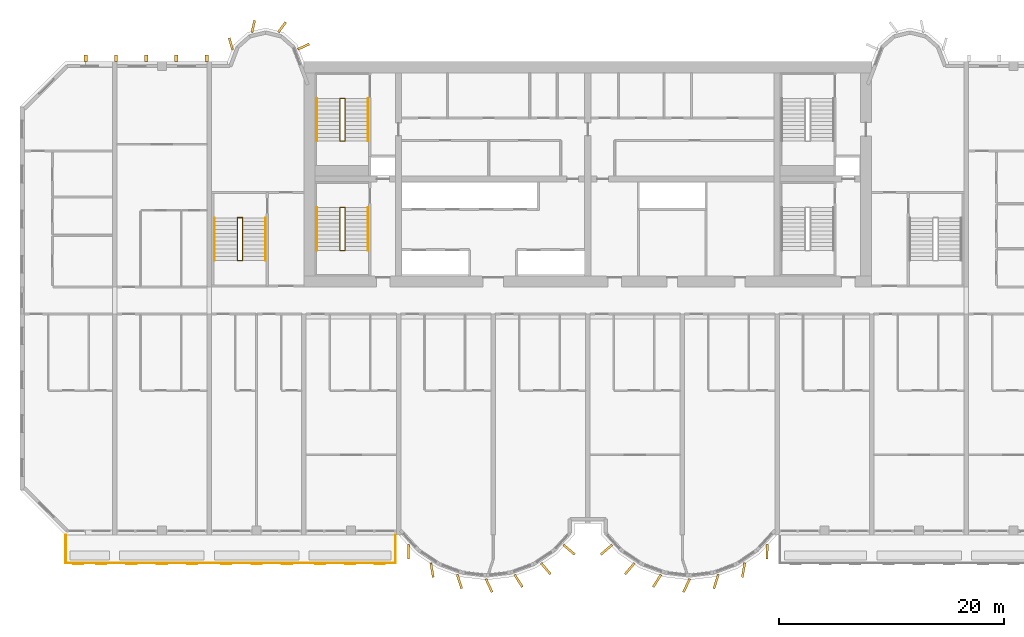
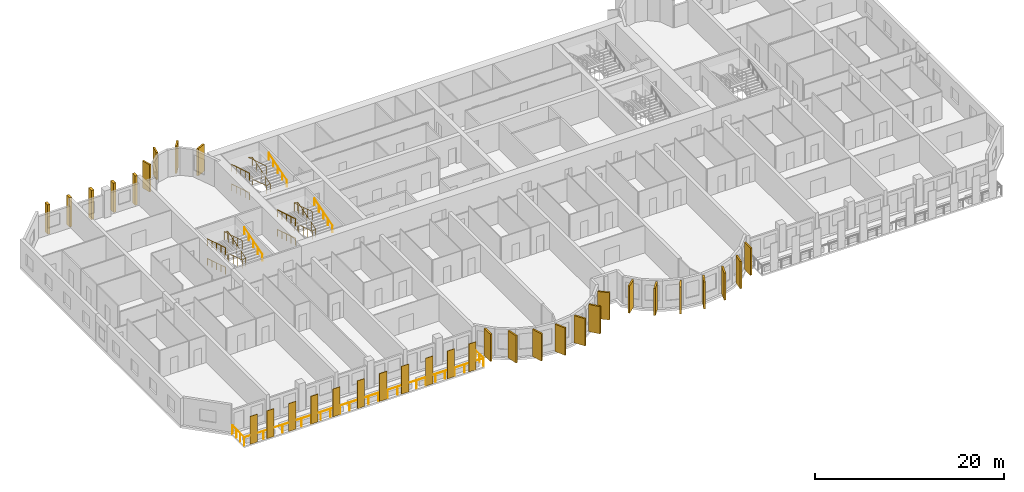
# One storey, part 13 of 15: 34 coverings, 13 railings.
"""IFC4 building model written with IfcOpenShell, lengths in metres."""

from ifc_helpers import new_model, si_unit, direction, frame, origin, origin_2d, place, context, subcontext, project, spatial, rectangle, circle, extrude, source, transform, mapped, material, layer, layer_set, material_profile, profile_set, type_object, element, save


model = new_model("IFC4")

# Units and contexts
model_context = context("Model", 3, precision=1e-05, world=origin(), true_north=direction((0.0, 1.0)))
body_context = subcontext(model_context, "Body", "Model", "MODEL_VIEW")
ifc_project = project(units=[si_unit("LENGTHUNIT", "METRE"), si_unit("AREAUNIT", "SQUARE_METRE"), si_unit("VOLUMEUNIT", "CUBIC_METRE"), si_unit("PLANEANGLEUNIT", "RADIAN"), si_unit("MASSUNIT", "GRAM", prefix="KILO")], contexts=[model_context])

# Site, building, storey
site_placement = place(None, origin())
site = spatial("IfcSite", under=ifc_project, at=site_placement, CompositionType="ELEMENT")
building_placement = place(site_placement, origin())
building = spatial("IfcBuilding", under=site, at=building_placement, Name="Vanashikhar Sky Hotel", CompositionType="ELEMENT")
storey_placement = place(building_placement, frame((0.0, 0.0, 69.60009765625)))
storey = spatial("IfcBuildingStorey", under=building, at=storey_placement, Name="L16", CompositionType="ELEMENT", Elevation=69.60009765625)

# Railing
ifc_material_1 = material(Name="Stainless steel 316", Category="steel")
railing_type_1 = type_object("IfcRailingType", Name="Balcony guard 1100", PredefinedType="GUARDRAIL", material=ifc_material_1)
shared_shape_1 = source(origin(), body_context, "Body", "SweptSolid", [
    extrude(circle(Radius=0.02392578125, at=origin_2d()), frame((0.0, 0.0, 1.076171875), z_axis=(0.0, -1.0, 0.0), x_axis=(1.0, 0.0, 0.0)), (0.0, 0.0, 1.0), 2.5),
    extrude(circle(Radius=0.02392578125, at=origin_2d()), frame((0.0, -2.5, 1.076171875), z_axis=(1.0, 0.0, 0.0), x_axis=(0.0, 1.0, 0.0)), (0.0, 0.0, 1.0), 29.280029296875),
    extrude(circle(Radius=0.02392578125, at=origin_2d()), frame((29.280029296875, -2.5, 1.076171875), z_axis=(0.0, 1.0, 0.0), x_axis=(-1.0, 0.0, 0.0)), (0.0, 0.0, 1.0), 2.5),
    extrude(circle(Radius=0.02099609375, at=origin_2d()), origin(), (0.0, 0.0, 1.0), 1.052001953125),
    extrude(circle(Radius=0.02099609375, at=origin_2d()), frame((0.0, -0.833251953125, 0.0)), (0.0, 0.0, 1.0), 1.052001953125),
    extrude(circle(Radius=0.02099609375, at=origin_2d()), frame((0.0, -1.666748046875, 0.0)), (0.0, 0.0, 1.0), 1.052001953125),
    extrude(circle(Radius=0.02099609375, at=origin_2d()), frame((0.0, -2.5, 0.0)), (0.0, 0.0, 1.0), 1.052001953125),
    extrude(circle(Radius=0.02099609375, at=origin_2d()), frame((1.171142578125, -2.5, 0.0)), (0.0, 0.0, 1.0), 1.052001953125),
    extrude(circle(Radius=0.02099609375, at=origin_2d()), frame((2.34228515625, -2.5, 0.0)), (0.0, 0.0, 1.0), 1.052001953125),
    extrude(circle(Radius=0.02099609375, at=origin_2d()), frame((3.513671875, -2.5, 0.0)), (0.0, 0.0, 1.0), 1.052001953125),
    extrude(circle(Radius=0.02099609375, at=origin_2d()), frame((4.684814453125, -2.5, 0.0)), (0.0, 0.0, 1.0), 1.052001953125),
    extrude(circle(Radius=0.02099609375, at=origin_2d()), frame((5.85595703125, -2.5, 0.0)), (0.0, 0.0, 1.0), 1.052001953125),
    extrude(circle(Radius=0.02099609375, at=origin_2d()), frame((7.027099609375, -2.5, 0.0)), (0.0, 0.0, 1.0), 1.052001953125),
    extrude(circle(Radius=0.02099609375, at=origin_2d()), frame((8.198486328125, -2.5, 0.0)), (0.0, 0.0, 1.0), 1.052001953125),
    extrude(circle(Radius=0.02099609375, at=origin_2d()), frame((9.36962890625, -2.5, 0.0)), (0.0, 0.0, 1.0), 1.052001953125),
    extrude(circle(Radius=0.02099609375, at=origin_2d()), frame((10.540771484375, -2.5, 0.0)), (0.0, 0.0, 1.0), 1.052001953125),
    extrude(circle(Radius=0.02099609375, at=origin_2d()), frame((11.7119140625, -2.5, 0.0)), (0.0, 0.0, 1.0), 1.052001953125),
    extrude(circle(Radius=0.02099609375, at=origin_2d()), frame((12.88330078125, -2.5, 0.0)), (0.0, 0.0, 1.0), 1.052001953125),
    extrude(circle(Radius=0.02099609375, at=origin_2d()), frame((14.054443359375, -2.5, 0.0)), (0.0, 0.0, 1.0), 1.052001953125),
    extrude(circle(Radius=0.02099609375, at=origin_2d()), frame((15.2255859375, -2.5, 0.0)), (0.0, 0.0, 1.0), 1.052001953125),
    extrude(circle(Radius=0.02099609375, at=origin_2d()), frame((16.396728515625, -2.5, 0.0)), (0.0, 0.0, 1.0), 1.052001953125),
    extrude(circle(Radius=0.02099609375, at=origin_2d()), frame((17.568115234375, -2.5, 0.0)), (0.0, 0.0, 1.0), 1.052001953125),
    extrude(circle(Radius=0.02099609375, at=origin_2d()), frame((18.7392578125, -2.5, 0.0)), (0.0, 0.0, 1.0), 1.052001953125),
    extrude(circle(Radius=0.02099609375, at=origin_2d()), frame((19.910400390625, -2.5, 0.0)), (0.0, 0.0, 1.0), 1.052001953125),
    extrude(circle(Radius=0.02099609375, at=origin_2d()), frame((21.08154296875, -2.5, 0.0)), (0.0, 0.0, 1.0), 1.052001953125),
    extrude(circle(Radius=0.02099609375, at=origin_2d()), frame((22.2529296875, -2.5, 0.0)), (0.0, 0.0, 1.0), 1.052001953125),
    extrude(circle(Radius=0.02099609375, at=origin_2d()), frame((23.424072265625, -2.5, 0.0)), (0.0, 0.0, 1.0), 1.052001953125),
    extrude(circle(Radius=0.02099609375, at=origin_2d()), frame((24.59521484375, -2.5, 0.0)), (0.0, 0.0, 1.0), 1.052001953125),
    extrude(circle(Radius=0.02099609375, at=origin_2d()), frame((25.766357421875, -2.5, 0.0)), (0.0, 0.0, 1.0), 1.052001953125),
    extrude(circle(Radius=0.02099609375, at=origin_2d()), frame((26.937744140625, -2.5, 0.0)), (0.0, 0.0, 1.0), 1.052001953125),
    extrude(circle(Radius=0.02099609375, at=origin_2d()), frame((28.10888671875, -2.5, 0.0)), (0.0, 0.0, 1.0), 1.052001953125),
    extrude(circle(Radius=0.02099609375, at=origin_2d()), frame((29.280029296875, -2.5, 0.0)), (0.0, 0.0, 1.0), 1.052001953125),
    extrude(circle(Radius=0.02099609375, at=origin_2d()), frame((29.280029296875, -1.666748046875, 0.0)), (0.0, 0.0, 1.0), 1.052001953125),
    extrude(circle(Radius=0.02099609375, at=origin_2d()), frame((29.280029296875, -0.833251953125, 0.0)), (0.0, 0.0, 1.0), 1.052001953125),
    extrude(circle(Radius=0.02099609375, at=origin_2d()), frame((29.280029296875, 0.0, 0.0)), (0.0, 0.0, 1.0), 1.052001953125),
])
railing_1_placement = place(storey_placement, frame((4.06005859375, 0.0, -0.050048828125)))
element("IfcRailing", 1, at=railing_1_placement, inside=storey, type_object=railing_type_1, Name="Balcony guard", PredefinedType="GUARDRAIL", context=body_context, shape_type="MappedRepresentation", body=[
    mapped(shared_shape_1, transform((0.0, 0.0, 0.0), scale=1.0)),
])

# Coverings
ifc_material_2 = material(Name="Terracotta", Category="masonry")
ifc_layer = layer(ifc_material_2, 0.06005859375)
ifc_layer_set = layer_set([ifc_layer], Name="Terracotta baguette screen")
covering_type_1 = type_object("IfcCoveringType", Name="Terracotta baguette screen", PredefinedType="CLADDING", material=ifc_layer_set)
shared_shape_2 = source(origin(), body_context, "Body", "SweptSolid", [
    extrude(rectangle(XDim=0.89990234375, YDim=0.06005859375, at=origin_2d()), origin(), (0.0, 0.0, 1.0), 3.60009765625),
])
for number, where, z_axis, x_axis, name in (
    (2, (5.175048828125, -2.570068359375, -0.050048828125), (0.0, 0.0, 1.0), (1.0, 0.0, 0.0), "Terracotta screen"),
    (3, (7.22509765625, -2.570068359375, -0.050048828125), (0.0, 0.0, 1.0), (1.0, 0.0, 0.0), "Terracotta screen"),
    (4, (9.89990234375, -2.570068359375, -0.050048828125), (0.0, 0.0, 1.0), (1.0, 0.0, 0.0), "Terracotta screen"),
    (5, (12.60009765625, -2.570068359375, -0.050048828125), (0.0, 0.0, 1.0), (1.0, 0.0, 0.0), "Terracotta screen"),
    (6, (15.300048828125, -2.570068359375, -0.050048828125), (0.0, 0.0, 1.0), (1.0, 0.0, 0.0), "Terracotta screen"),
    (7, (18.300048828125, -2.570068359375, -0.050048828125), (0.0, 0.0, 1.0), (1.0, 0.0, 0.0), "Terracotta screen"),
    (8, (21.0, -2.570068359375, -0.050048828125), (0.0, 0.0, 1.0), (1.0, 0.0, 0.0), "Terracotta screen"),
    (9, (23.699951171875, -2.570068359375, -0.050048828125), (0.0, 0.0, 1.0), (1.0, 0.0, 0.0), "Terracotta screen"),
    (10, (26.666748046875, -2.570068359375, -0.050048828125), (0.0, 0.0, 1.0), (1.0, 0.0, 0.0), "Terracotta screen"),
    (11, (29.300048828125, -2.570068359375, -0.050048828125), (0.0, 0.0, 1.0), (1.0, 0.0, 0.0), "Terracotta screen"),
    (12, (31.933349609375, -2.570068359375, -0.050048828125), (0.0, 0.0, 1.0), (1.0, 0.0, 0.0), "Terracotta screen"),
):
    element("IfcCovering", number, at=place(storey_placement, frame(where, z_axis=z_axis, x_axis=x_axis)), inside=storey, type_object=covering_type_1, Name=name, PredefinedType="CLADDING", context=body_context, shape_type="MappedRepresentation", body=[
        mapped(shared_shape_2, transform((0.0, 0.0, 0.0), scale=1.0)),
    ])
ifc_material_3 = material(Name="Concrete M60 dark", Category="concrete")
ifc_material_profile_1 = material_profile(ifc_material_3, rectangle(XDim=1.300048828125, YDim=0.199951171875, at=origin_2d()))
ifc_profile_set_1 = profile_set([ifc_material_profile_1], Name="Fin 1300 x 200")
covering_type_2 = type_object("IfcCoveringType", Name="Fin 1300 x 200", PredefinedType="CLADDING", material=ifc_profile_set_1)
shared_shape_3 = source(origin(), body_context, "Body", "SweptSolid", [
    extrude(rectangle(XDim=1.300048828125, YDim=0.199951171875, at=origin_2d()), origin(), (0.0, 0.0, 1.0), 3.52001953125),
])
for number, where, z_axis, x_axis, name in (
    (13, (34.482421875, -1.507080078125, 0.0), (0.0, 0.0, 1.0), (0.011588726826, -0.999932848451, 0.0), "Fin F1-1"),
    (14, (36.572509765625, -3.1220703125, 0.0), (0.0, 0.0, 1.0), (0.16989991575, -0.985461322746, 0.0), "Fin F1-2"),
    (15, (39.00830078125, -4.14306640625, 0.0), (0.0, 0.0, 1.0), (0.303966551867, -0.952682704444, 0.0), "Fin F1-3"),
    (16, (41.63232421875, -4.49853515625, 0.0), (0.0, 0.0, 1.0), (0.422618261741, -0.906307787037, 0.0), "Fin F1-4"),
    (17, (44.251953125, -4.083984375, 0.0), (0.0, 0.0, 1.0), (0.534411358496, -0.845224526331, 0.0), "Fin F1-5"),
    (18, (46.676025390625, -3.0, 0.0), (0.0, 0.0, 1.0), (0.645697609467, -0.763593214433, 0.0), "Fin F1-6"),
    (19, (48.7412109375, -1.3154296875, 0.0), (0.0, 0.0, 1.0), (0.758543912032, -0.65162192529, 0.0), "Fin F1-7"),
    (20, (52.058837890625, -1.3154296875, 0.0), (0.0, 0.0, 1.0), (-0.758543912032, -0.65162192529, 0.0), "Fin F2-1"),
    (21, (54.123779296875, -3.0, 0.0), (0.0, 0.0, 1.0), (-0.645697609467, -0.763593214433, 0.0), "Fin F2-2"),
    (22, (56.547119140625, -4.083984375, 0.0), (0.0, 0.0, 1.0), (-0.534411358496, -0.845224526331, 0.0), "Fin F2-3"),
    (23, (59.16748046875, -4.49853515625, 0.0), (0.0, 0.0, 1.0), (-0.422618261741, -0.906307787037, 0.0), "Fin F2-4"),
    (24, (61.790771484375, -4.14306640625, 0.0), (0.0, 0.0, 1.0), (-0.303966551867, -0.952682704444, 0.0), "Fin F2-5"),
    (25, (64.2275390625, -3.1220703125, 0.0), (0.0, 0.0, 1.0), (-0.16989991575, -0.985461322746, 0.0), "Fin F2-6"),
    (26, (66.317626953125, -1.507080078125, 0.0), (0.0, 0.0, 1.0), (-0.011588726826, -0.999932848451, 0.0), "Fin F2-7"),
):
    element("IfcCovering", number, at=place(storey_placement, frame(where, z_axis=z_axis, x_axis=x_axis)), inside=storey, type_object=covering_type_2, Name=name, PredefinedType="CLADDING", context=body_context, shape_type="MappedRepresentation", body=[
        mapped(shared_shape_3, transform((0.0, 0.0, 0.0), scale=1.0)),
    ])
ifc_material_profile_2 = material_profile(ifc_material_3, rectangle(XDim=1.10009765625, YDim=0.199951171875, at=origin_2d()))
ifc_profile_set_2 = profile_set([ifc_material_profile_2], Name="Rear lobe fin 1100 x 200")
covering_type_3 = type_object("IfcCoveringType", Name="Rear lobe fin 1100 x 200", PredefinedType="CLADDING", material=ifc_profile_set_2)
shared_shape_4 = source(origin(), body_context, "Body", "SweptSolid", [
    extrude(rectangle(XDim=1.10009765625, YDim=0.199951171875, at=origin_2d()), origin(), (0.0, 0.0, 1.0), 3.52001953125),
])
for number, where, z_axis, x_axis, name in (
    (27, (18.720703125, 43.580078125, 0.0), (0.0, 0.0, 1.0), (-0.262711264409, 0.964874495234, 0.0), "Fin R1-1"),
    (28, (20.710205078125, 45.1455078125, 0.0), (0.0, 0.0, 1.0), (0.224644935864, 0.974440687159, 0.0), "Fin R1-2"),
    (29, (23.261962890625, 45.06640625, 0.0), (0.0, 0.0, 1.0), (0.602065892195, 0.798446404874, 0.0), "Fin R1-3"),
    (30, (25.169677734375, 43.33447265625, 0.0), (0.0, 0.0, 1.0), (0.908004291068, 0.418960866193, 0.0), "Fin R1-4"),
):
    element("IfcCovering", number, at=place(storey_placement, frame(where, z_axis=z_axis, x_axis=x_axis)), inside=storey, type_object=covering_type_3, Name=name, PredefinedType="CLADDING", context=body_context, shape_type="MappedRepresentation", body=[
        mapped(shared_shape_4, transform((0.0, 0.0, 0.0), scale=1.0)),
    ])
ifc_material_profile_3 = material_profile(ifc_material_3, rectangle(XDim=0.60009765625, YDim=0.300048828125, at=origin_2d()))
ifc_profile_set_3 = profile_set([ifc_material_profile_3], Name="Rear rib 600 x 300")
covering_type_4 = type_object("IfcCoveringType", Name="Rear rib 600 x 300", PredefinedType="CLADDING", material=ifc_profile_set_3)
shared_shape_5 = source(origin(), body_context, "Body", "SweptSolid", [
    extrude(rectangle(XDim=0.60009765625, YDim=0.300048828125, at=origin_2d()), origin(), (0.0, 0.0, 1.0), 3.800048828125),
])
for number, where, z_axis, x_axis, name in (
    (31, (5.840087890625, 42.300048828125, -0.280029296875), (0.0, 0.0, 1.0), (0.0, 1.0, 0.0), "Rear rib"),
    (32, (8.52001953125, 42.300048828125, -0.280029296875), (0.0, 0.0, 1.0), (0.0, 1.0, 0.0), "Rear rib"),
    (33, (11.199951171875, 42.300048828125, -0.280029296875), (0.0, 0.0, 1.0), (0.0, 1.0, 0.0), "Rear rib"),
    (34, (13.8798828125, 42.300048828125, -0.280029296875), (0.0, 0.0, 1.0), (0.0, 1.0, 0.0), "Rear rib"),
    (35, (16.56005859375, 42.300048828125, -0.280029296875), (0.0, 0.0, 1.0), (0.0, 1.0, 0.0), "Rear rib"),
):
    element("IfcCovering", number, at=place(storey_placement, frame(where, z_axis=z_axis, x_axis=x_axis)), inside=storey, type_object=covering_type_4, Name=name, PredefinedType="CLADDING", context=body_context, shape_type="MappedRepresentation", body=[
        mapped(shared_shape_5, transform((0.0, 0.0, 0.0), scale=1.0)),
    ])

# Railings
ifc_material_4 = material(Name="Steel S355", Category="steel")
railing_type_2 = type_object("IfcRailingType", Name="Stair handrail 900", PredefinedType="HANDRAIL", material=ifc_material_4)
shared_shape_6 = source(origin(), body_context, "Body", "SweptSolid", [
    extrude(circle(Radius=0.02392578125, at=origin_2d()), frame((0.0, 0.0, 0.8759765625), z_axis=(0.0, 0.95635109408, 0.292220096591), x_axis=(-1.0, 0.0, 0.0)), (0.0, 0.0, 1.0), 3.973388671875),
    extrude(circle(Radius=0.02099609375, at=origin_2d()), origin(), (0.0, 0.0, 1.0), 0.851806640625),
    extrude(circle(Radius=0.02099609375, at=origin_2d()), frame((0.0, 0.949951171875, 0.290283203125)), (0.0, 0.0, 1.0), 0.851806640625),
    extrude(circle(Radius=0.02099609375, at=origin_2d()), frame((0.0, 1.89990234375, 0.58056640625)), (0.0, 0.0, 1.0), 0.851806640625),
    extrude(circle(Radius=0.02099609375, at=origin_2d()), frame((0.0, 2.85009765625, 0.870849609375)), (0.0, 0.0, 1.0), 0.851806640625),
    extrude(circle(Radius=0.02099609375, at=origin_2d()), frame((0.0, 3.800048828125, 1.1611328125)), (0.0, 0.0, 1.0), 0.851806640625),
])
for number, where, name in (
    (36, (30.89990234375, 25.25, 1.3720703125), "Exit stair 1 handrail"),
    (37, (30.89990234375, 34.949951171875, 1.3720703125), "Exit stair 5 handrail"),
):
    element("IfcRailing", number, at=place(storey_placement, frame(where)), inside=storey, type_object=railing_type_2, Name=name, PredefinedType="HANDRAIL", context=body_context, shape_type="MappedRepresentation", body=[
        mapped(shared_shape_6, transform((0.0, 0.0, 0.0), scale=1.0)),
    ])
shared_shape_7 = source(origin(), body_context, "Body", "SweptSolid", [
    extrude(circle(Radius=0.02392578125, at=origin_2d()), frame((0.0, 0.0, 0.8759765625), z_axis=(0.0, -0.95635109408, 0.292220096591), x_axis=(1.0, 0.0, 0.0)), (0.0, 0.0, 1.0), 3.973388671875),
    extrude(circle(Radius=0.02099609375, at=origin_2d()), origin(), (0.0, 0.0, 1.0), 0.851806640625),
    extrude(circle(Radius=0.02099609375, at=origin_2d()), frame((0.0, -0.949951171875, 0.290283203125)), (0.0, 0.0, 1.0), 0.851806640625),
    extrude(circle(Radius=0.02099609375, at=origin_2d()), frame((0.0, -1.89990234375, 0.58056640625)), (0.0, 0.0, 1.0), 0.851806640625),
    extrude(circle(Radius=0.02099609375, at=origin_2d()), frame((0.0, -2.85009765625, 0.870849609375)), (0.0, 0.0, 1.0), 0.851806640625),
    extrude(circle(Radius=0.02099609375, at=origin_2d()), frame((0.0, -3.800048828125, 1.1611328125)), (0.0, 0.0, 1.0), 0.851806640625),
])
for number, where, name in (
    (38, (26.35009765625, 29.050048828125, 0.10546875), "Exit stair 1 handrail"),
    (39, (26.35009765625, 29.050048828125, 2.638671875), "Exit stair 1 handrail"),
    (40, (26.35009765625, 38.75, 0.10546875), "Exit stair 5 handrail"),
    (41, (26.35009765625, 38.75, 2.638671875), "Exit stair 5 handrail"),
):
    element("IfcRailing", number, at=place(storey_placement, frame(where)), inside=storey, type_object=railing_type_2, Name=name, PredefinedType="HANDRAIL", context=body_context, shape_type="MappedRepresentation", body=[
        mapped(shared_shape_7, transform((0.0, 0.0, 0.0), scale=1.0)),
    ])
railing_type_3 = type_object("IfcRailingType", Name="Stair guard 1100", PredefinedType="GUARDRAIL", material=ifc_material_4)
shared_shape_8 = source(origin(), body_context, "Body", "SweptSolid", [
    extrude(circle(Radius=0.02392578125, at=origin_2d()), frame((0.0, 0.0, 1.076171875), z_axis=(-0.973638301096, 0.0, 0.228097476179), x_axis=(0.0, -1.0, 0.0)), (0.0, 0.0, 1.0), 0.46240234375),
    extrude(circle(Radius=0.02392578125, at=origin_2d()), frame((-0.4501953125, 0.0, 1.181640625), z_axis=(0.0, -0.95635109408, 0.292220096591), x_axis=(1.0, 0.0, 0.0)), (0.0, 0.0, 1.0), 3.973388671875),
    extrude(circle(Radius=0.02392578125, at=origin_2d()), frame((-0.4501953125, -3.800048828125, 2.3427734375), z_axis=(0.973638301096, 0.0, 0.228097476179), x_axis=(0.0, 1.0, 0.0)), (0.0, 0.0, 1.0), 0.46240234375),
    extrude(circle(Radius=0.02392578125, at=origin_2d()), frame((0.0, -3.800048828125, 2.4482421875), z_axis=(0.0, 0.95635109408, 0.292220096591), x_axis=(-1.0, 0.0, 0.0)), (0.0, 0.0, 1.0), 3.973388671875),
    extrude(circle(Radius=0.02392578125, at=origin_2d()), frame((0.0, 0.0, 3.609375), z_axis=(-0.973638301096, 0.0, 0.228097476179), x_axis=(0.0, -1.0, 0.0)), (0.0, 0.0, 1.0), 0.46240234375),
    extrude(circle(Radius=0.02392578125, at=origin_2d()), frame((-0.4501953125, 0.0, 3.71484375), z_axis=(0.0, -0.95635109408, 0.292220096591), x_axis=(1.0, 0.0, 0.0)), (0.0, 0.0, 1.0), 3.973388671875),
    extrude(circle(Radius=0.02099609375, at=origin_2d()), origin(), (0.0, 0.0, 1.0), 1.052001953125),
    extrude(circle(Radius=0.02099609375, at=origin_2d()), frame((-0.4501953125, 0.0, 0.10546875)), (0.0, 0.0, 1.0), 1.052001953125),
    extrude(circle(Radius=0.02099609375, at=origin_2d()), frame((-0.4501953125, -0.949951171875, 0.395751953125)), (0.0, 0.0, 1.0), 1.052001953125),
    extrude(circle(Radius=0.02099609375, at=origin_2d()), frame((-0.4501953125, -1.89990234375, 0.68603515625)), (0.0, 0.0, 1.0), 1.052001953125),
    extrude(circle(Radius=0.02099609375, at=origin_2d()), frame((-0.4501953125, -2.85009765625, 0.976318359375)), (0.0, 0.0, 1.0), 1.052001953125),
    extrude(circle(Radius=0.02099609375, at=origin_2d()), frame((-0.4501953125, -3.800048828125, 1.2666015625)), (0.0, 0.0, 1.0), 1.052001953125),
    extrude(circle(Radius=0.02099609375, at=origin_2d()), frame((0.0, -3.800048828125, 1.3720703125)), (0.0, 0.0, 1.0), 1.052001953125),
    extrude(circle(Radius=0.02099609375, at=origin_2d()), frame((0.0, -2.85009765625, 1.662353515625)), (0.0, 0.0, 1.0), 1.052001953125),
    extrude(circle(Radius=0.02099609375, at=origin_2d()), frame((0.0, -1.89990234375, 1.95263671875)), (0.0, 0.0, 1.0), 1.052001953125),
    extrude(circle(Radius=0.02099609375, at=origin_2d()), frame((0.0, -0.949951171875, 2.242919921875)), (0.0, 0.0, 1.0), 1.052001953125),
    extrude(circle(Radius=0.02099609375, at=origin_2d()), frame((0.0, 0.0, 2.533203125)), (0.0, 0.0, 1.0), 1.052001953125),
    extrude(circle(Radius=0.02099609375, at=origin_2d()), frame((-0.4501953125, 0.0, 2.638671875)), (0.0, 0.0, 1.0), 1.052001953125),
    extrude(circle(Radius=0.02099609375, at=origin_2d()), frame((-0.4501953125, -0.949951171875, 2.928955078125)), (0.0, 0.0, 1.0), 1.052001953125),
    extrude(circle(Radius=0.02099609375, at=origin_2d()), frame((-0.4501953125, -1.89990234375, 3.21923828125)), (0.0, 0.0, 1.0), 1.052001953125),
    extrude(circle(Radius=0.02099609375, at=origin_2d()), frame((-0.4501953125, -2.85009765625, 3.509521484375)), (0.0, 0.0, 1.0), 1.052001953125),
    extrude(circle(Radius=0.02099609375, at=origin_2d()), frame((-0.4501953125, -3.800048828125, 3.7998046875)), (0.0, 0.0, 1.0), 1.052001953125),
])
for number, where, name in (
    (42, (28.85009765625, 29.050048828125, 0.0), "Exit stair 1 guard"),
    (43, (28.85009765625, 38.75, 0.0), "Exit stair 5 guard"),
):
    element("IfcRailing", number, at=place(storey_placement, frame(where)), inside=storey, type_object=railing_type_3, Name=name, PredefinedType="GUARDRAIL", context=body_context, shape_type="MappedRepresentation", body=[
        mapped(shared_shape_8, transform((0.0, 0.0, 0.0), scale=1.0)),
    ])
shared_shape_9 = source(origin(), body_context, "Body", "SweptSolid", [
    extrude(circle(Radius=0.02392578125, at=origin_2d()), frame((0.0, 0.0, 0.8759765625), z_axis=(0.0, 0.956345846891, 0.292237268557), x_axis=(-1.0, 0.0, 0.0)), (0.0, 0.0, 1.0), 3.97314453125),
    extrude(circle(Radius=0.02099609375, at=origin_2d()), origin(), (0.0, 0.0, 1.0), 0.851806640625),
    extrude(circle(Radius=0.02099609375, at=origin_2d()), frame((0.0, 0.949951171875, 0.290283203125)), (0.0, 0.0, 1.0), 0.851806640625),
    extrude(circle(Radius=0.02099609375, at=origin_2d()), frame((0.0, 1.89990234375, 0.58056640625)), (0.0, 0.0, 1.0), 0.851806640625),
    extrude(circle(Radius=0.02099609375, at=origin_2d()), frame((0.0, 2.849853515625, 0.870849609375)), (0.0, 0.0, 1.0), 0.851806640625),
    extrude(circle(Radius=0.02099609375, at=origin_2d()), frame((0.0, 3.7998046875, 1.1611328125)), (0.0, 0.0, 1.0), 0.851806640625),
])
railing_2_placement = place(storey_placement, frame((21.800048828125, 24.35009765625, 1.3720703125)))
element("IfcRailing", 44, at=railing_2_placement, inside=storey, type_object=railing_type_2, Name="Exit stair 3 handrail", PredefinedType="HANDRAIL", context=body_context, shape_type="MappedRepresentation", body=[
    mapped(shared_shape_9, transform((0.0, 0.0, 0.0), scale=1.0)),
])
shared_shape_10 = source(origin(), body_context, "Body", "SweptSolid", [
    extrude(circle(Radius=0.02392578125, at=origin_2d()), frame((0.0, 0.0, 0.8759765625), z_axis=(0.0, -0.956345846891, 0.292237268557), x_axis=(1.0, 0.0, 0.0)), (0.0, 0.0, 1.0), 3.97314453125),
    extrude(circle(Radius=0.02099609375, at=origin_2d()), origin(), (0.0, 0.0, 1.0), 0.851806640625),
    extrude(circle(Radius=0.02099609375, at=origin_2d()), frame((0.0, -0.949951171875, 0.290283203125)), (0.0, 0.0, 1.0), 0.851806640625),
    extrude(circle(Radius=0.02099609375, at=origin_2d()), frame((0.0, -1.89990234375, 0.58056640625)), (0.0, 0.0, 1.0), 0.851806640625),
    extrude(circle(Radius=0.02099609375, at=origin_2d()), frame((0.0, -2.849853515625, 0.870849609375)), (0.0, 0.0, 1.0), 0.851806640625),
    extrude(circle(Radius=0.02099609375, at=origin_2d()), frame((0.0, -3.7998046875, 1.1611328125)), (0.0, 0.0, 1.0), 0.851806640625),
])
for number, where, name in (
    (45, (17.25, 28.14990234375, 0.10546875), "Exit stair 3 handrail"),
    (46, (17.25, 28.14990234375, 2.638671875), "Exit stair 3 handrail"),
):
    element("IfcRailing", number, at=place(storey_placement, frame(where)), inside=storey, type_object=railing_type_2, Name=name, PredefinedType="HANDRAIL", context=body_context, shape_type="MappedRepresentation", body=[
        mapped(shared_shape_10, transform((0.0, 0.0, 0.0), scale=1.0)),
    ])
shared_shape_11 = source(origin(), body_context, "Body", "SweptSolid", [
    extrude(circle(Radius=0.02392578125, at=origin_2d()), frame((0.0, 0.0, 1.076171875), z_axis=(-0.973610808694, 0.0, 0.228214796178), x_axis=(0.0, -1.0, 0.0)), (0.0, 0.0, 1.0), 0.462158203125),
    extrude(circle(Radius=0.02392578125, at=origin_2d()), frame((-0.449951171875, 0.0, 1.181640625), z_axis=(0.0, -0.956345846891, 0.292237268557), x_axis=(1.0, 0.0, 0.0)), (0.0, 0.0, 1.0), 3.97314453125),
    extrude(circle(Radius=0.02392578125, at=origin_2d()), frame((-0.449951171875, -3.7998046875, 2.3427734375), z_axis=(0.973610808694, 0.0, 0.228214796178), x_axis=(0.0, 1.0, 0.0)), (0.0, 0.0, 1.0), 0.462158203125),
    extrude(circle(Radius=0.02392578125, at=origin_2d()), frame((0.0, -3.7998046875, 2.4482421875), z_axis=(0.0, 0.956345846891, 0.292237268557), x_axis=(-1.0, 0.0, 0.0)), (0.0, 0.0, 1.0), 3.97314453125),
    extrude(circle(Radius=0.02392578125, at=origin_2d()), frame((0.0, 0.0, 3.609375), z_axis=(-0.973610808694, 0.0, 0.228214796178), x_axis=(0.0, -1.0, 0.0)), (0.0, 0.0, 1.0), 0.462158203125),
    extrude(circle(Radius=0.02392578125, at=origin_2d()), frame((-0.449951171875, 0.0, 3.71484375), z_axis=(0.0, -0.956345846891, 0.292237268557), x_axis=(1.0, 0.0, 0.0)), (0.0, 0.0, 1.0), 3.97314453125),
    extrude(circle(Radius=0.02099609375, at=origin_2d()), origin(), (0.0, 0.0, 1.0), 1.052001953125),
    extrude(circle(Radius=0.02099609375, at=origin_2d()), frame((-0.449951171875, 0.0, 0.10546875)), (0.0, 0.0, 1.0), 1.052001953125),
    extrude(circle(Radius=0.02099609375, at=origin_2d()), frame((-0.449951171875, -0.949951171875, 0.395751953125)), (0.0, 0.0, 1.0), 1.052001953125),
    extrude(circle(Radius=0.02099609375, at=origin_2d()), frame((-0.449951171875, -1.89990234375, 0.68603515625)), (0.0, 0.0, 1.0), 1.052001953125),
    extrude(circle(Radius=0.02099609375, at=origin_2d()), frame((-0.449951171875, -2.849853515625, 0.976318359375)), (0.0, 0.0, 1.0), 1.052001953125),
    extrude(circle(Radius=0.02099609375, at=origin_2d()), frame((-0.449951171875, -3.7998046875, 1.2666015625)), (0.0, 0.0, 1.0), 1.052001953125),
    extrude(circle(Radius=0.02099609375, at=origin_2d()), frame((0.0, -3.7998046875, 1.3720703125)), (0.0, 0.0, 1.0), 1.052001953125),
    extrude(circle(Radius=0.02099609375, at=origin_2d()), frame((0.0, -2.849853515625, 1.662353515625)), (0.0, 0.0, 1.0), 1.052001953125),
    extrude(circle(Radius=0.02099609375, at=origin_2d()), frame((0.0, -1.89990234375, 1.95263671875)), (0.0, 0.0, 1.0), 1.052001953125),
    extrude(circle(Radius=0.02099609375, at=origin_2d()), frame((0.0, -0.949951171875, 2.242919921875)), (0.0, 0.0, 1.0), 1.052001953125),
    extrude(circle(Radius=0.02099609375, at=origin_2d()), frame((0.0, 0.0, 2.533203125)), (0.0, 0.0, 1.0), 1.052001953125),
    extrude(circle(Radius=0.02099609375, at=origin_2d()), frame((-0.449951171875, 0.0, 2.638671875)), (0.0, 0.0, 1.0), 1.052001953125),
    extrude(circle(Radius=0.02099609375, at=origin_2d()), frame((-0.449951171875, -0.949951171875, 2.928955078125)), (0.0, 0.0, 1.0), 1.052001953125),
    extrude(circle(Radius=0.02099609375, at=origin_2d()), frame((-0.449951171875, -1.89990234375, 3.21923828125)), (0.0, 0.0, 1.0), 1.052001953125),
    extrude(circle(Radius=0.02099609375, at=origin_2d()), frame((-0.449951171875, -2.849853515625, 3.509521484375)), (0.0, 0.0, 1.0), 1.052001953125),
    extrude(circle(Radius=0.02099609375, at=origin_2d()), frame((-0.449951171875, -3.7998046875, 3.7998046875)), (0.0, 0.0, 1.0), 1.052001953125),
])
railing_3_placement = place(storey_placement, frame((19.75, 28.14990234375, 0.0)))
element("IfcRailing", 47, at=railing_3_placement, inside=storey, type_object=railing_type_3, Name="Exit stair 3 guard", PredefinedType="GUARDRAIL", context=body_context, shape_type="MappedRepresentation", body=[
    mapped(shared_shape_11, transform((0.0, 0.0, 0.0), scale=1.0)),
])

save(model, "model.ifc")
